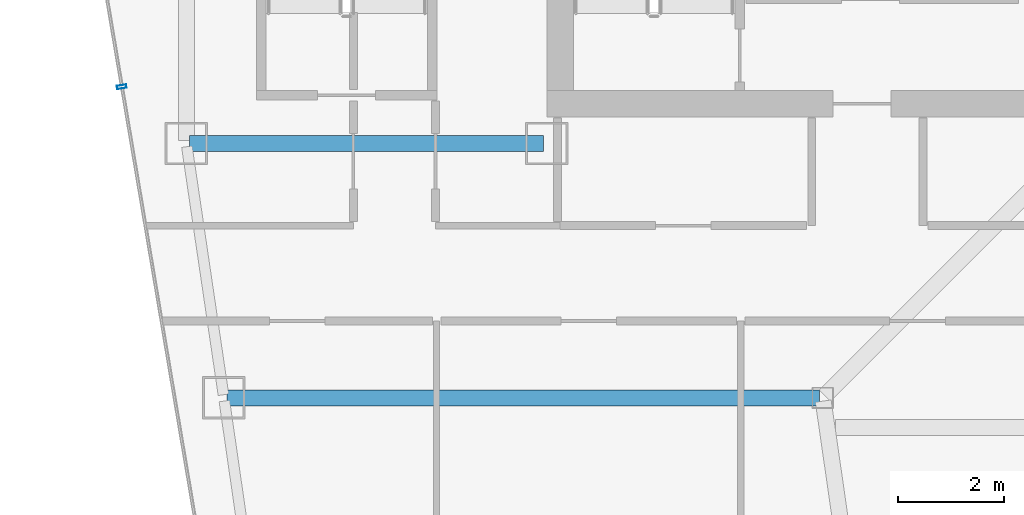
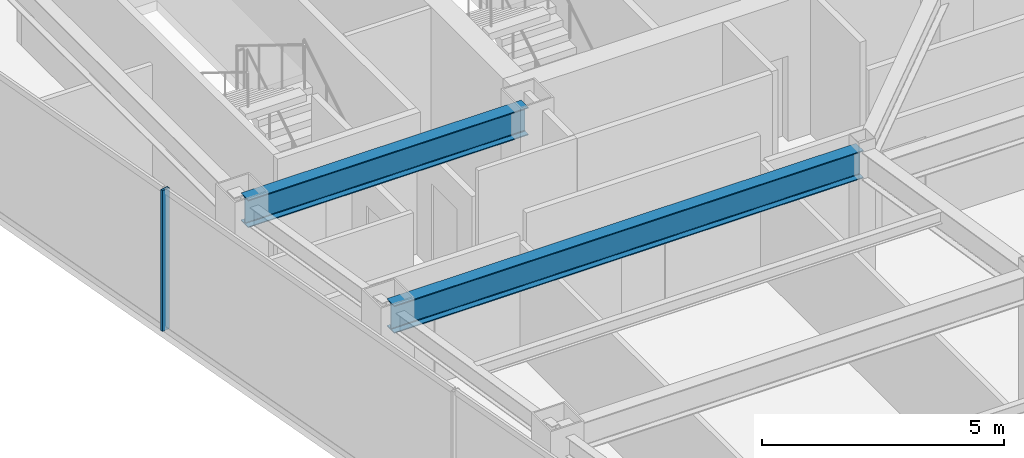
# One storey, part 11 of 36: 2 beams, 1 member, 1 element without a shape of its own.
"""IFC4 building model written with IfcOpenShell, lengths in metres."""

from ifc_helpers import new_model, si_unit, direction, frame, origin, origin_2d, place, context, subcontext, project, spatial, hollow_rectangle, i_section, extrude, material, material_profile, profile_set, type_object, element, aggregate, save


model = new_model("IFC4")

# Units and contexts
model_context = context("Model", 3, precision=1e-05, world=origin(), true_north=direction((0.0, 1.0)))
body_context = subcontext(model_context, "Body", "Model", "MODEL_VIEW")
ifc_project = project(units=[si_unit("LENGTHUNIT", "METRE"), si_unit("AREAUNIT", "SQUARE_METRE"), si_unit("VOLUMEUNIT", "CUBIC_METRE"), si_unit("PLANEANGLEUNIT", "RADIAN"), si_unit("MASSUNIT", "GRAM", prefix="KILO")], contexts=[model_context])

# Site, building, storey
site_placement = place(None, origin())
site = spatial("IfcSite", under=ifc_project, at=site_placement, CompositionType="ELEMENT")
building_placement = place(site_placement, origin())
building = spatial("IfcBuilding", under=site, at=building_placement, Name="Saevonmaru Cultural Tower", CompositionType="ELEMENT")
storey_placement = place(building_placement, frame((0.0, 0.0, 209.39990234375)))
storey = spatial("IfcBuildingStorey", under=building, at=storey_placement, Name="L48", CompositionType="ELEMENT", Elevation=209.39990234375)

# Beams
ifc_material_1 = material(Name="Steel SM355", Category="steel")
ifc_material_profile_1 = material_profile(ifc_material_1, i_section(OverallWidth=0.300048828125, OverallDepth=0.699951171875, WebThickness=0.012939453125, FlangeThickness=0.02392578125, FilletRadius=0.02587890625, at=origin_2d()), Name="H-700x300x13x24")
ifc_profile_set_1 = profile_set([ifc_material_profile_1], Name="Steel SM355")
beam_type = type_object("IfcBeamType", Name="BM-G-H700", PredefinedType="BEAM", material=ifc_profile_set_1)
beam_1_placement = place(storey_placement, frame((6.860107421875, 42.39990234375, 3.2001953125), z_axis=(1.0, 0.0, 0.0), x_axis=(0.0, 1.0, 0.0)))
element("IfcBeam", 1, at=beam_1_placement, inside=storey, type_object=beam_type, Name="L48 Core South Girder 1", PredefinedType="BEAM", context=body_context, shape_type="SweptSolid", body=[
    extrude(i_section(OverallWidth=0.300048828125, OverallDepth=0.699951171875, WebThickness=0.012939453125, FlangeThickness=0.02392578125, FilletRadius=0.02587890625, at=origin_2d()), origin(), (0.0, 0.0, 1.0), 6.679931640625),
])
beam_2_placement = place(storey_placement, frame((7.568115234375, 37.60009765625, 3.2001953125), z_axis=(1.0, 0.0, 0.0), x_axis=(0.0, 1.0, 0.0)))
element("IfcBeam", 2, at=beam_2_placement, inside=storey, type_object=beam_type, Name="L48 West Wing Transverse Girder 4", PredefinedType="BEAM", context=body_context, shape_type="SweptSolid", body=[
    extrude(i_section(OverallWidth=0.300048828125, OverallDepth=0.699951171875, WebThickness=0.012939453125, FlangeThickness=0.02392578125, FilletRadius=0.02587890625, at=origin_2d()), origin(), (0.0, 0.0, 1.0), 11.179931640625),
])

# Curtain wall, member
ifc_material_2 = material(Name="Satin Bronze Anodised Aluminium", Category="aluminium")
curtain_wall_type = type_object("IfcCurtainWallType", Name="CW-TYP-B", PredefinedType="NOTDEFINED", material=ifc_material_2)
curtain_wall_placement = place(storey_placement, origin())
curtain_wall = element("IfcCurtainWall", 3, at=curtain_wall_placement, inside=storey, type_object=curtain_wall_type, Name="L48 Unitised Curtain Wall E12", PredefinedType="NOTDEFINED")
ifc_material_profile_2 = material_profile(ifc_material_2, hollow_rectangle(XDim=0.06494140625, YDim=0.179931640625, WallThickness=0.00390625, at=origin_2d()), Name="ALU-MULL-180x65x4")
ifc_profile_set_2 = profile_set([ifc_material_profile_2], Name="Satin Bronze Anodised Aluminium")
member_type = type_object("IfcMemberType", Name="ML-CW-180x65", PredefinedType="MULLION", material=ifc_profile_set_2)
member_placement = place(storey_placement, frame((5.579345703125, 43.470458984375, 0.0), z_axis=(0.0, 0.0, 1.0), x_axis=(0.16692169721, -0.985970155228, 0.0)))
member = element("IfcMember", 4, at=member_placement, type_object=member_type, Name="CW-TW-L48-E12 mullion 2", PredefinedType="MULLION", context=body_context, shape_type="SweptSolid", body=[
    extrude(hollow_rectangle(XDim=0.06494140625, YDim=0.179931640625, WallThickness=0.00390625, at=origin_2d()), origin(), (0.0, 0.0, 1.0), 3.550048828125),
])
aggregate(curtain_wall, [member])

save(model, "model.ifc")
